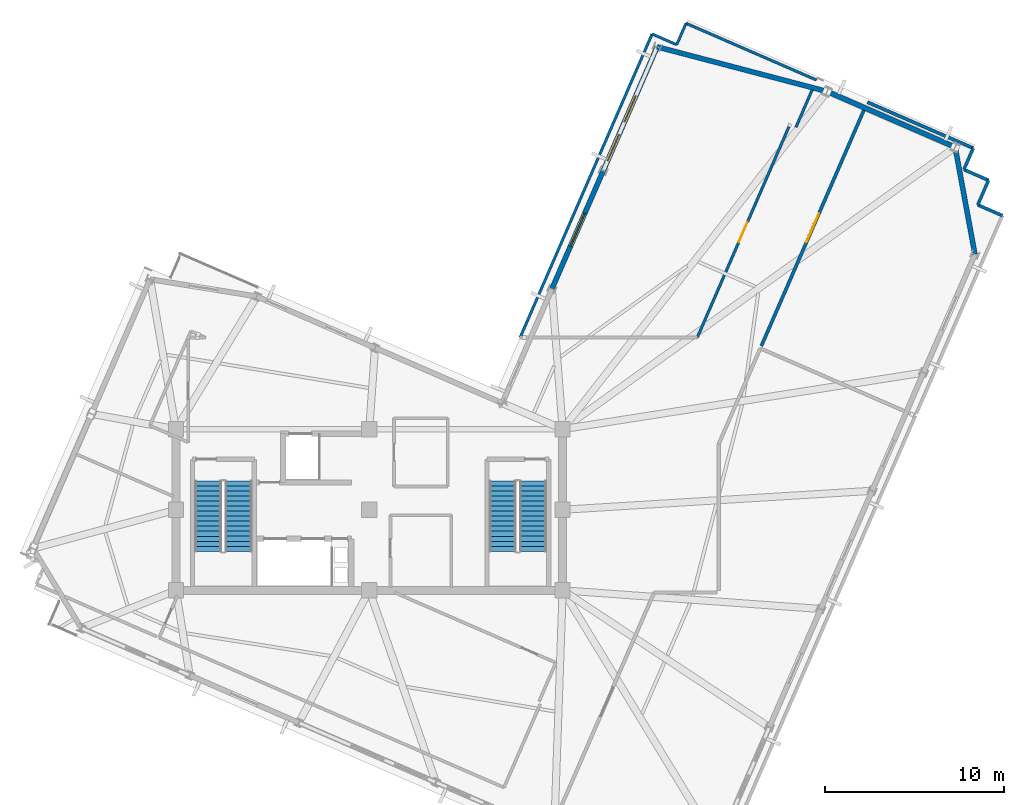
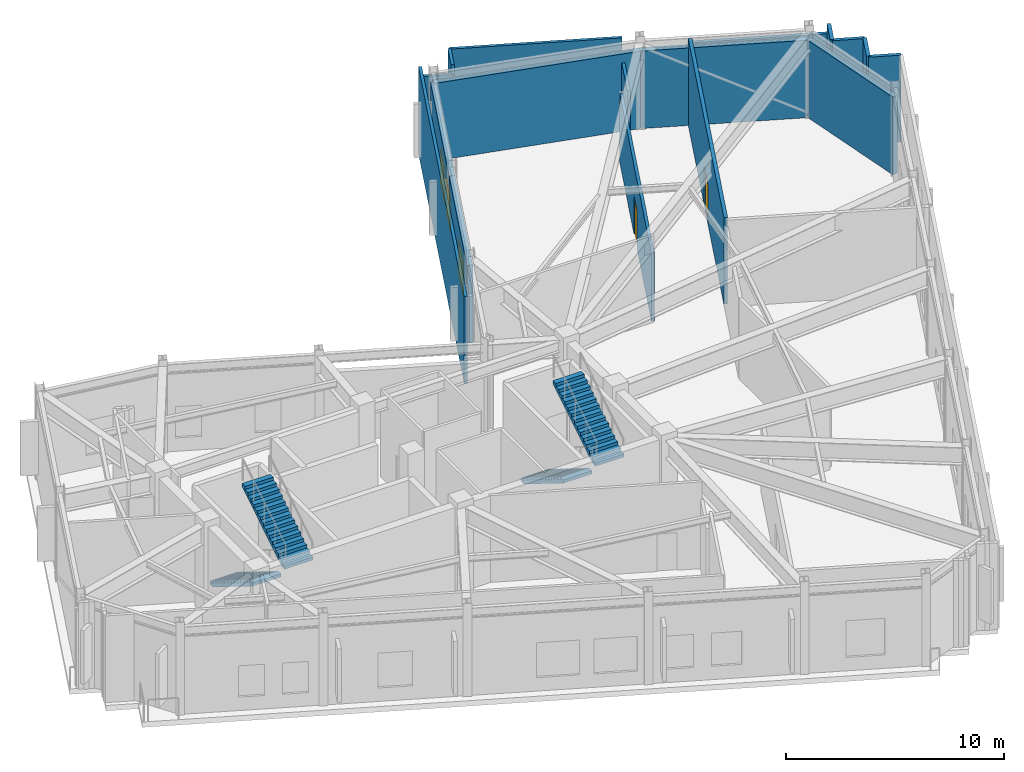
# One storey, part 8 of 12: 17 walls, 4 stair flights, 3 windows, 2 doors, 5 openings, 2 elements without a shape of their own.
"""IFC4 building model written with IfcOpenShell, lengths in metres."""

from ifc_helpers import new_model, si_unit, direction, frame, frame_2d, origin, place, context, subcontext, project, spatial, polyline, rectangle, outline, extrude, material, layer, layer_set, type_object, element, fill, aggregate, save


model = new_model("IFC4")

# Units and contexts
model_context = context("Model", 3, precision=1e-05, world=origin(), true_north=direction((0.0, 1.0)))
body_context = subcontext(model_context, "Body", "Model", "MODEL_VIEW")
ifc_project = project(units=[si_unit("LENGTHUNIT", "METRE"), si_unit("AREAUNIT", "SQUARE_METRE"), si_unit("VOLUMEUNIT", "CUBIC_METRE"), si_unit("PLANEANGLEUNIT", "RADIAN"), si_unit("MASSUNIT", "GRAM", prefix="KILO")], contexts=[model_context])

# Site, building, storey
site_placement = place(None, origin())
site = spatial("IfcSite", under=ifc_project, at=site_placement, CompositionType="ELEMENT")
building_placement = place(site_placement, origin())
building = spatial("IfcBuilding", under=site, at=building_placement, Name="Gaonmaruhae Medical Tower", CompositionType="ELEMENT")
storey_placement = place(building_placement, frame((0.0, 0.0, 342.60009765625)))
storey = spatial("IfcBuildingStorey", under=building, at=storey_placement, Name="L82", CompositionType="ELEMENT", Elevation=342.60009765625)

# Walls
ifc_material_1 = material(Name="Precast concrete C45/55", Category="concrete")
ifc_layer_1 = layer(ifc_material_1, 0.280029296875)
ifc_layer_set_1 = layer_set([ifc_layer_1], Name="Precast concrete C45/55")
wall_type_1 = type_object("IfcWallType", Name="EW-280 Upper Precast Masonry-Frame Facade Wall", PredefinedType="SOLIDWALL", material=ifc_layer_set_1)
wall_1_placement = place(storey_placement, frame((57.52587890625, 32.552490234375, 0.0), z_axis=(0.0, 0.0, 1.0), x_axis=(0.181386981443, -0.983411797246, 0.0)))
element("IfcWall", 1, at=wall_1_placement, inside=storey, type_object=wall_type_1, Name="L82 Precast Masonry-Frame Wall S06-E01", PredefinedType="SOLIDWALL", context=body_context, shape_type="SweptSolid", body=[
    extrude(rectangle(XDim=6.087890625, YDim=0.280029296875, at=frame_2d((3.0439453125, 0.0))), origin(), (0.0, 0.0, 1.0), 4.3349609375),
])
wall_2_placement = place(storey_placement, frame((50.372802734375, 35.662841796875, 0.0), z_axis=(0.0, 0.0, 1.0), x_axis=(0.917055127211, -0.398760446454, 0.0)))
element("IfcWall", 2, at=wall_2_placement, inside=storey, type_object=wall_type_1, Name="L82 Precast Masonry-Frame Wall E01-E02", PredefinedType="SOLIDWALL", context=body_context, shape_type="SweptSolid", body=[
    extrude(rectangle(XDim=7.800048828125, YDim=0.280029296875, at=frame_2d((3.89990234375, 0.0))), origin(), (0.0, 0.0, 1.0), 4.3349609375),
])
wall_3_placement = place(storey_placement, frame((40.879150390625, 38.155029296875, 0.0), z_axis=(0.0, 0.0, 1.0), x_axis=(0.967228369271, -0.253908018143, 0.0)))
element("IfcWall", 3, at=wall_3_placement, inside=storey, type_object=wall_type_1, Name="L82 Precast Masonry-Frame Wall E02-E03", PredefinedType="SOLIDWALL", context=body_context, shape_type="SweptSolid", body=[
    extrude(rectangle(XDim=9.8154296875, YDim=0.280029296875, at=frame_2d((4.90771484375, 0.0))), origin(), (0.0, 0.0, 1.0), 4.3349609375),
])

# Wall, openings, windows
wall_4_placement = place(storey_placement, frame((37.868408203125, 31.231201171875, 0.0), z_axis=(0.0, 0.0, 1.0), x_axis=(0.398768677413, 0.917051548123, 0.0)))
wall_4 = element("IfcWall", 4, at=wall_4_placement, inside=storey, type_object=wall_type_1, Name="L82 Precast Masonry-Frame Wall E03-EN01", PredefinedType="SOLIDWALL", context=body_context, shape_type="SweptSolid", body=[
    extrude(rectangle(XDim=7.550048828125, YDim=0.280029296875, at=frame_2d((3.77490234375, 0.0))), origin(), (0.0, 0.0, 1.0), 4.3349609375),
])
opening_1_placement = place(wall_4_placement, frame((2.97509765625, 0.0, 0.75)))
opening_1 = element("IfcOpeningElement", 5, at=opening_1_placement, cuts=wall_4, Name="Opening WN-01", PredefinedType="OPENING", context=body_context, shape_type="SweptSolid", body=[
    extrude(rectangle(XDim=1.60009765625, YDim=1.949951171875, at=frame_2d((0.800048828125, 0.97509765625))), frame((0.0, 0.14990234375, 0.0), z_axis=(0.0, -1.0, 0.0), x_axis=(1.0, 0.0, 0.0)), (0.0, 0.0, 1.0), 0.300048828125),
])
opening_2_placement = place(wall_4_placement, frame((0.615234375, 0.0, 0.75)))
opening_2 = element("IfcOpeningElement", 6, at=opening_2_placement, cuts=wall_4, Name="Opening WN-01", PredefinedType="OPENING", context=body_context, shape_type="SweptSolid", body=[
    extrude(rectangle(XDim=1.60009765625, YDim=1.949951171875, at=frame_2d((0.800048828125, 0.97509765625))), frame((0.0, 0.14990234375, 0.0), z_axis=(0.0, -1.0, 0.0), x_axis=(1.0, 0.0, 0.0)), (0.0, 0.0, 1.0), 0.300048828125),
])
ifc_material_2 = material(Name="Anodised aluminium and Low-E double glazing", Category="aluminium")
window_type_1 = type_object("IfcWindowType", Name="WN-01 Ward Punched Acoustic Window 1600x1950", PartitioningType="SINGLE_PANEL", PredefinedType="WINDOW", material=ifc_material_2)
window_1_placement = place(opening_1_placement, origin())
window_1 = element("IfcWindow", 7, at=window_1_placement, inside=storey, type_object=window_type_1, Name="L82 Modular Facade Window E03", OverallHeight=1.949951171875, OverallWidth=1.60009765625, PartitioningType="SINGLE_PANEL", PredefinedType="WINDOW", context=body_context, shape_type="SweptSolid", body=[
    extrude(rectangle(XDim=1.60009765625, YDim=1.949951171875, at=frame_2d((0.800048828125, 0.97509765625))), frame((0.0, 0.030029296875, 0.0), z_axis=(0.0, -1.0, 0.0), x_axis=(1.0, 0.0, 0.0)), (0.0, 0.0, 1.0), 0.06005859375),
])
fill(opening_1, window_1)
window_2_placement = place(opening_2_placement, origin())
window_2 = element("IfcWindow", 8, at=window_2_placement, inside=storey, type_object=window_type_1, Name="L82 Modular Facade Window E03B", OverallHeight=1.949951171875, OverallWidth=1.60009765625, PartitioningType="SINGLE_PANEL", PredefinedType="WINDOW", context=body_context, shape_type="SweptSolid", body=[
    extrude(rectangle(XDim=1.60009765625, YDim=1.949951171875, at=frame_2d((0.800048828125, 0.97509765625))), frame((0.0, 0.030029296875, 0.0), z_axis=(0.0, -1.0, 0.0), x_axis=(1.0, 0.0, 0.0)), (0.0, 0.0, 1.0), 0.06005859375),
])
fill(opening_2, window_2)

# Wall, opening, window
wall_5_placement = place(storey_placement, frame((34.99755859375, 24.62841796875, 0.0), z_axis=(0.0, 0.0, 1.0), x_axis=(0.398734790782, 0.917066282566, 0.0)))
wall_5 = element("IfcWall", 9, at=wall_5_placement, inside=storey, type_object=wall_type_1, Name="L82 Precast Masonry-Frame Wall EN01-EN02", PredefinedType="SOLIDWALL", context=body_context, shape_type="SweptSolid", body=[
    extrude(rectangle(XDim=7.199951171875, YDim=0.280029296875, at=frame_2d((3.60009765625, 0.0))), origin(), (0.0, 0.0, 1.0), 4.3349609375),
])
opening_3_placement = place(wall_5_placement, frame((2.60009765625, 0.0, 0.75)))
opening_3 = element("IfcOpeningElement", 10, at=opening_3_placement, cuts=wall_5, Name="Opening WN-02", PredefinedType="OPENING", context=body_context, shape_type="SweptSolid", body=[
    extrude(rectangle(XDim=2.0, YDim=1.949951171875, at=frame_2d((1.0, 0.97509765625))), frame((0.0, 0.14990234375, 0.0), z_axis=(0.0, -1.0, 0.0), x_axis=(1.0, 0.0, 0.0)), (0.0, 0.0, 1.0), 0.300048828125),
])
window_type_2 = type_object("IfcWindowType", Name="WN-02 Double-Bed Ward Punched Window 2000x1950", PartitioningType="SINGLE_PANEL", PredefinedType="WINDOW", material=ifc_material_2)
window_3_placement = place(opening_3_placement, origin())
window_3 = element("IfcWindow", 11, at=window_3_placement, inside=storey, type_object=window_type_2, Name="L82 Modular Facade Window EN01", OverallHeight=1.949951171875, OverallWidth=2.0, PartitioningType="SINGLE_PANEL", PredefinedType="WINDOW", context=body_context, shape_type="SweptSolid", body=[
    extrude(rectangle(XDim=2.0, YDim=1.949951171875, at=frame_2d((1.0, 0.97509765625))), frame((0.0, 0.030029296875, 0.0), z_axis=(0.0, -1.0, 0.0), x_axis=(1.0, 0.0, 0.0)), (0.0, 0.0, 1.0), 0.06005859375),
])
fill(opening_3, window_3)

# Wall, opening, door
ifc_material_3 = material(Name="Gypsum board partition", Category="gypsum")
ifc_layer_2 = layer(ifc_material_3, 0.14990234375)
ifc_layer_set_2 = layer_set([ifc_layer_2], Name="Gypsum board partition")
wall_type_2 = type_object("IfcWallType", Name="PW-150 Rated Clinical Corridor Partition", PredefinedType="PARTITIONING", material=ifc_layer_set_2)
wall_6_placement = place(storey_placement, frame((48.242919921875, 33.698974609375, 0.0), z_axis=(0.0, 0.0, 1.0), x_axis=(-0.398758777505, -0.917055852913, 0.0)))
wall_6 = element("IfcWall", 12, at=wall_6_placement, inside=storey, type_object=wall_type_2, Name="L82 Interior Partition L82-WAIT-26", PredefinedType="PARTITIONING", context=body_context, shape_type="SweptSolid", body=[
    extrude(rectangle(XDim=12.844482421875, YDim=0.14990234375, at=frame_2d((6.42236328125, 0.0))), origin(), (0.0, 0.0, 1.0), 3.8349609375),
])
opening_4_placement = place(wall_6_placement, frame((5.822265625, 0.0, 0.0)))
opening_4 = element("IfcOpeningElement", 13, at=opening_4_placement, cuts=wall_6, Name="Opening CD-02", PredefinedType="OPENING", context=body_context, shape_type="SweptSolid", body=[
    extrude(rectangle(XDim=1.199951171875, YDim=2.14990234375, at=frame_2d((0.60009765625, 1.074951171875))), frame((0.0, 0.0849609375, 0.0), z_axis=(0.0, -1.0, 0.0), x_axis=(1.0, 0.0, 0.0)), (0.0, 0.0, 1.0), 0.169921875),
])
ifc_material_4 = material(Name="Antimicrobial laminate timber fire door", Category="wood")
door_type_1 = type_object("IfcDoorType", Name="CD-02 Clinical Treatment & Procedure Door 1200x2150", OperationType="NOTDEFINED", PredefinedType="DOOR", material=ifc_material_4)
door_1_placement = place(opening_4_placement, origin())
door_1 = element("IfcDoor", 14, at=door_1_placement, inside=storey, type_object=door_type_1, Name="L82 Aeromedical Trauma Team Standby Department Door", OperationType="SINGLE_SWING_RIGHT", OverallHeight=2.14990234375, OverallWidth=1.199951171875, PredefinedType="DOOR", context=body_context, shape_type="SweptSolid", body=[
    extrude(rectangle(XDim=1.199951171875, YDim=2.14990234375, at=frame_2d((0.60009765625, 1.074951171875))), frame((0.0, 0.02490234375, 0.0), z_axis=(0.0, -1.0, 0.0), x_axis=(1.0, 0.0, 0.0)), (0.0, 0.0, 1.0), 0.050048828125),
])
fill(opening_4, door_1)

# Walls
wall_7_placement = place(storey_placement, frame((33.219970703125, 21.919921875, 0.0), z_axis=(0.0, 0.0, 1.0), x_axis=(0.39875121383, 0.917059141751, 0.0)))
element("IfcWall", 15, at=wall_7_placement, inside=storey, type_object=wall_type_2, Name="L82 Interior Partition L82-WAIT-29", PredefinedType="PARTITIONING", context=body_context, shape_type="SweptSolid", body=[
    extrude(rectangle(XDim=18.49267578125, YDim=0.14990234375, at=frame_2d((9.246337890625, 0.0))), origin(), (0.0, 0.0, 1.0), 4.849853515625),
])
wall_8_placement = place(storey_placement, frame((40.593994140625, 38.87890625, 0.0), z_axis=(0.0, 0.0, 1.0), x_axis=(0.91715541112, -0.398529737728, 0.0)))
element("IfcWall", 16, at=wall_8_placement, inside=storey, type_object=wall_type_2, Name="L82 Interior Partition L82-WAIT-30", PredefinedType="PARTITIONING", context=body_context, shape_type="SweptSolid", body=[
    extrude(rectangle(XDim=1.500244140625, YDim=0.14990234375, at=frame_2d((0.75, 0.0))), origin(), (0.0, 0.0, 1.0), 4.3349609375),
])
wall_9_placement = place(storey_placement, frame((41.969970703125, 38.281005859375, 0.0), z_axis=(0.0, 0.0, 1.0), x_axis=(0.398629941404, 0.917111863306, 0.0)))
element("IfcWall", 17, at=wall_9_placement, inside=storey, type_object=wall_type_2, Name="L82 Interior Partition L82-WAIT-31", PredefinedType="PARTITIONING", context=body_context, shape_type="SweptSolid", body=[
    extrude(rectangle(XDim=1.299560546875, YDim=0.14990234375, at=frame_2d((0.64990234375, 0.0))), origin(), (0.0, 0.0, 1.0), 4.849853515625),
])
wall_10_placement = place(storey_placement, frame((42.488037109375, 39.472900390625, 0.0), z_axis=(0.0, 0.0, 1.0), x_axis=(0.917073961881, -0.398717128351, 0.0)))
element("IfcWall", 18, at=wall_10_placement, inside=storey, type_object=wall_type_2, Name="L82 Interior Partition L82-WAIT-32", PredefinedType="PARTITIONING", context=body_context, shape_type="SweptSolid", body=[
    extrude(rectangle(XDim=7.9501953125, YDim=0.14990234375, at=frame_2d((3.97509765625, 0.0))), origin(), (0.0, 0.0, 1.0), 4.849853515625),
])
wall_11_placement = place(storey_placement, frame((49.54296875, 35.761962890625, 0.0), z_axis=(0.0, 0.0, 1.0), x_axis=(-0.398765098315, -0.917053104441, 0.0)))
element("IfcWall", 19, at=wall_11_placement, inside=storey, type_object=wall_type_2, Name="L82 Interior Partition L82-WAIT-33", PredefinedType="PARTITIONING", context=body_context, shape_type="SweptSolid", body=[
    extrude(rectangle(XDim=2.289794921875, YDim=0.14990234375, at=frame_2d((1.14501953125, 0.0))), origin(), (0.0, 0.0, 1.0), 3.8349609375),
])
ifc_layer_3 = layer(ifc_material_3, 0.179931640625)
ifc_layer_set_3 = layer_set([ifc_layer_3], Name="Gypsum board partition")
wall_type_3 = type_object("IfcWallType", Name="PW-180 Refuge & Plant Acoustic Fire Partition", PredefinedType="PARTITIONING", material=ifc_layer_set_3)
for number, where, z_axis, x_axis, name in (
    (20, (59.39404296875, 30.7041015625, 0.0), (0.0, 0.0, 1.0), (-0.398904712107, -0.916992383097, 0.0), "L82 Interior Partition L82-FOAM-19"),
    (21, (58.7958984375, 29.3291015625, 0.0), (0.0, 0.0, 1.0), (0.916992383097, -0.398904712107, 0.0), "L82 Interior Partition L82-FOAM-20"),
):
    element("IfcWall", number, at=place(storey_placement, frame(where, z_axis=z_axis, x_axis=x_axis)), inside=storey, type_object=wall_type_3, Name=name, PredefinedType="PARTITIONING", context=body_context, shape_type="SweptSolid", body=[
        extrude(rectangle(XDim=1.49951171875, YDim=0.179931640625, at=frame_2d((0.749755859375, 0.0))), origin(), (0.0, 0.0, 1.0), 4.849853515625),
    ])

# Wall, opening, door
wall_12_placement = place(storey_placement, frame((46.699951171875, 21.447998046875, 0.0), z_axis=(0.0, 0.0, 1.0), x_axis=(0.398723008689, 0.917071405258, 0.0)))
wall_12 = element("IfcWall", 22, at=wall_12_placement, inside=storey, type_object=wall_type_3, Name="L82 Interior Partition L82-FOAM-22", PredefinedType="PARTITIONING", context=body_context, shape_type="SweptSolid", body=[
    extrude(rectangle(XDim=14.38623046875, YDim=0.179931640625, at=frame_2d((7.193115234375, 0.0))), origin(), (0.0, 0.0, 1.0), 4.849853515625),
])
opening_5_placement = place(wall_12_placement, frame((6.318115234375, 0.0, 0.0)))
opening_5 = element("IfcOpeningElement", 23, at=opening_5_placement, cuts=wall_12, Name="Opening PD-01", PredefinedType="OPENING", context=body_context, shape_type="SweptSolid", body=[
    extrude(rectangle(XDim=1.75, YDim=2.199951171875, at=frame_2d((0.875, 1.10009765625))), frame((0.0, 0.10009765625, 0.0), z_axis=(0.0, -1.0, 0.0), x_axis=(1.0, 0.0, 0.0)), (0.0, 0.0, 1.0), 0.199951171875),
])
ifc_material_5 = material(Name="Acoustic galvanised steel plant door", Category="steel")
door_type_2 = type_object("IfcDoorType", Name="PD-01 Mechanical Plant Double Equipment Door 1750x2200", OperationType="NOTDEFINED", PredefinedType="DOOR", material=ifc_material_5)
door_2_placement = place(opening_5_placement, origin())
door_2 = element("IfcDoor", 24, at=door_2_placement, inside=storey, type_object=door_type_2, Name="L82 Helipad Foam Fire Suppression Pump Room Door", OperationType="DOUBLE_DOOR_SINGLE_SWING", OverallHeight=2.199951171875, OverallWidth=1.75, PredefinedType="DOOR", context=body_context, shape_type="SweptSolid", body=[
    extrude(rectangle(XDim=1.75, YDim=2.199951171875, at=frame_2d((0.875, 1.10009765625))), frame((0.0, 0.02490234375, 0.0), z_axis=(0.0, -1.0, 0.0), x_axis=(1.0, 0.0, 0.0)), (0.0, 0.0, 1.0), 0.050048828125),
])
fill(opening_5, door_2)

# Walls
wall_13_placement = place(storey_placement, frame((52.62109375, 35.06689453125, 0.0), z_axis=(0.0, 0.0, 1.0), x_axis=(0.917092918999, -0.398673522975, 0.0)))
element("IfcWall", 25, at=wall_13_placement, inside=storey, type_object=wall_type_3, Name="L82 Interior Partition L82-FOAM-23", PredefinedType="PARTITIONING", context=body_context, shape_type="SweptSolid", body=[
    extrude(rectangle(XDim=6.450927734375, YDim=0.179931640625, at=frame_2d((3.2255859375, 0.0))), origin(), (0.0, 0.0, 1.0), 4.3349609375),
])
wall_14_placement = place(storey_placement, frame((58.537109375, 32.4951171875, 0.0), z_axis=(0.0, 0.0, 1.0), x_axis=(-0.3991929402, -0.916866945906, 0.0)))
element("IfcWall", 26, at=wall_14_placement, inside=storey, type_object=wall_type_3, Name="L82 Interior Partition L82-FOAM-24", PredefinedType="PARTITIONING", context=body_context, shape_type="SweptSolid", body=[
    extrude(rectangle(XDim=1.30029296875, YDim=0.179931640625, at=frame_2d((0.650146484375, 0.0))), origin(), (0.0, 0.0, 1.0), 4.849853515625),
])
wall_15_placement = place(storey_placement, frame((58.01806640625, 31.302978515625, 0.0), z_axis=(0.0, 0.0, 1.0), x_axis=(0.91691738696, -0.399077067107, 0.0)))
element("IfcWall", 27, at=wall_15_placement, inside=storey, type_object=wall_type_3, Name="L82 Interior Partition L82-FOAM-25", PredefinedType="PARTITIONING", context=body_context, shape_type="SweptSolid", body=[
    extrude(rectangle(XDim=1.500732421875, YDim=0.179931640625, at=frame_2d((0.75048828125, 0.0))), origin(), (0.0, 0.0, 1.0), 4.849853515625),
])

# Stair, stair flights
ifc_material_6 = material(Name="Concrete C40/50", Category="concrete")
stair_type = type_object("IfcStairType", Name="ST-T1 Primary Core Escape Dogleg Stair", PredefinedType="TWO_QUARTER_TURN_STAIR", material=ifc_material_6)
stair_1_placement = place(storey_placement, origin())
stair_1 = element("IfcStair", 28, at=stair_1_placement, inside=storey, type_object=stair_type, Name="L82 Protected Escape Stair ST-01", PredefinedType="TWO_QUARTER_TURN_STAIR")
stair_flight_type = type_object("IfcStairFlightType", Name="SF-T1 Primary Core Precast Stair Flight", PredefinedType="STRAIGHT", material=ifc_material_6)
stair_flight_1_placement = place(storey_placement, frame((15.800048828125, 13.89990234375, 0.0), z_axis=(0.0, 0.0, 1.0), x_axis=(0.0, -1.0, 0.0)))
stair_flight_1 = element("IfcStairFlight", 29, at=stair_flight_1_placement, type_object=stair_flight_type, Name="ST-01 flight 1", NumberOfRisers=15, NumberOfTreads=14, PredefinedType="STRAIGHT", RiserHeight=0.173333333, TreadLength=0.28, context=body_context, shape_type="SweptSolid", body=[
    extrude(outline(polyline([(0.0, 0.0), (0.0, 0.17333984375), (0.280029296875, 0.17333984375), (0.280029296875, 0.3466796875), (0.56005859375, 0.3466796875), (0.56005859375, 0.52001953125), (0.840087890625, 0.52001953125), (0.840087890625, 0.693359375), (1.1201171875, 0.693359375), (1.1201171875, 0.86669921875), (1.39990234375, 0.86669921875), (1.39990234375, 1.0400390625), (1.679931640625, 1.0400390625), (1.679931640625, 1.21337890625), (1.9599609375, 1.21337890625), (1.9599609375, 1.38671875), (2.239990234375, 1.38671875), (2.239990234375, 1.56005859375), (2.52001953125, 1.56005859375), (2.52001953125, 1.7333984375), (2.800048828125, 1.7333984375), (2.800048828125, 1.90673828125), (3.080078125, 1.90673828125), (3.080078125, 2.080078125), (3.360107421875, 2.080078125), (3.360107421875, 2.25341796875), (3.639892578125, 2.25341796875), (3.639892578125, 2.4267578125), (3.919921875, 2.4267578125), (3.919921875, 2.60009765625), (3.919921875, 2.250244140625), (0.284912109375, 0.0), (0.0, 0.0)])), frame((0.0, 0.75, 0.0), z_axis=(0.0, -1.0, 0.0), x_axis=(1.0, 0.0, 0.0)), (0.0, 0.0, 1.0), 1.5),
])
stair_flight_2_placement = place(storey_placement, frame((17.5, 9.97998046875, 2.599853515625), z_axis=(0.0, 0.0, 1.0), x_axis=(0.0, 1.0, 0.0)))
stair_flight_2 = element("IfcStairFlight", 30, at=stair_flight_2_placement, type_object=stair_flight_type, Name="ST-01 flight 2", NumberOfRisers=15, NumberOfTreads=14, PredefinedType="STRAIGHT", RiserHeight=0.173333333, TreadLength=0.28, context=body_context, shape_type="SweptSolid", body=[
    extrude(outline(polyline([(0.0, 0.0), (0.0, 0.17333984375), (0.280029296875, 0.17333984375), (0.280029296875, 0.3466796875), (0.56005859375, 0.3466796875), (0.56005859375, 0.52001953125), (0.840087890625, 0.52001953125), (0.840087890625, 0.693359375), (1.1201171875, 0.693359375), (1.1201171875, 0.86669921875), (1.39990234375, 0.86669921875), (1.39990234375, 1.0400390625), (1.679931640625, 1.0400390625), (1.679931640625, 1.21337890625), (1.9599609375, 1.21337890625), (1.9599609375, 1.38671875), (2.239990234375, 1.38671875), (2.239990234375, 1.56005859375), (2.52001953125, 1.56005859375), (2.52001953125, 1.7333984375), (2.800048828125, 1.7333984375), (2.800048828125, 1.90673828125), (3.080078125, 1.90673828125), (3.080078125, 2.080078125), (3.360107421875, 2.080078125), (3.360107421875, 2.25341796875), (3.639892578125, 2.25341796875), (3.639892578125, 2.4267578125), (3.919921875, 2.4267578125), (3.919921875, 2.60009765625), (3.919921875, 2.250244140625), (0.284912109375, 0.0), (0.0, 0.0)])), frame((0.0, 0.75, 0.0), z_axis=(0.0, -1.0, 0.0), x_axis=(1.0, 0.0, 0.0)), (0.0, 0.0, 1.0), 1.5),
])
aggregate(stair_1, [stair_flight_1, stair_flight_2])

stair_2_placement = place(storey_placement, origin())
stair_2 = element("IfcStair", 31, at=stair_2_placement, inside=storey, type_object=stair_type, Name="L82 Protected Escape Stair ST-02", PredefinedType="TWO_QUARTER_TURN_STAIR")
stair_flight_3_placement = place(storey_placement, frame((32.25, 13.89990234375, 0.0), z_axis=(0.0, 0.0, 1.0), x_axis=(0.0, -1.0, 0.0)))
stair_flight_3 = element("IfcStairFlight", 32, at=stair_flight_3_placement, type_object=stair_flight_type, Name="ST-02 flight 1", NumberOfRisers=15, NumberOfTreads=14, PredefinedType="STRAIGHT", RiserHeight=0.173333333, TreadLength=0.28, context=body_context, shape_type="SweptSolid", body=[
    extrude(outline(polyline([(0.0, 0.0), (0.0, 0.17333984375), (0.280029296875, 0.17333984375), (0.280029296875, 0.3466796875), (0.56005859375, 0.3466796875), (0.56005859375, 0.52001953125), (0.840087890625, 0.52001953125), (0.840087890625, 0.693359375), (1.1201171875, 0.693359375), (1.1201171875, 0.86669921875), (1.39990234375, 0.86669921875), (1.39990234375, 1.0400390625), (1.679931640625, 1.0400390625), (1.679931640625, 1.21337890625), (1.9599609375, 1.21337890625), (1.9599609375, 1.38671875), (2.239990234375, 1.38671875), (2.239990234375, 1.56005859375), (2.52001953125, 1.56005859375), (2.52001953125, 1.7333984375), (2.800048828125, 1.7333984375), (2.800048828125, 1.90673828125), (3.080078125, 1.90673828125), (3.080078125, 2.080078125), (3.360107421875, 2.080078125), (3.360107421875, 2.25341796875), (3.639892578125, 2.25341796875), (3.639892578125, 2.4267578125), (3.919921875, 2.4267578125), (3.919921875, 2.60009765625), (3.919921875, 2.250244140625), (0.284912109375, 0.0), (0.0, 0.0)])), frame((0.0, 0.75, 0.0), z_axis=(0.0, -1.0, 0.0), x_axis=(1.0, 0.0, 0.0)), (0.0, 0.0, 1.0), 1.5),
])
stair_flight_4_placement = place(storey_placement, frame((33.949951171875, 9.97998046875, 2.599853515625), z_axis=(0.0, 0.0, 1.0), x_axis=(0.0, 1.0, 0.0)))
stair_flight_4 = element("IfcStairFlight", 33, at=stair_flight_4_placement, type_object=stair_flight_type, Name="ST-02 flight 2", NumberOfRisers=15, NumberOfTreads=14, PredefinedType="STRAIGHT", RiserHeight=0.173333333, TreadLength=0.28, context=body_context, shape_type="SweptSolid", body=[
    extrude(outline(polyline([(0.0, 0.0), (0.0, 0.17333984375), (0.280029296875, 0.17333984375), (0.280029296875, 0.3466796875), (0.56005859375, 0.3466796875), (0.56005859375, 0.52001953125), (0.840087890625, 0.52001953125), (0.840087890625, 0.693359375), (1.1201171875, 0.693359375), (1.1201171875, 0.86669921875), (1.39990234375, 0.86669921875), (1.39990234375, 1.0400390625), (1.679931640625, 1.0400390625), (1.679931640625, 1.21337890625), (1.9599609375, 1.21337890625), (1.9599609375, 1.38671875), (2.239990234375, 1.38671875), (2.239990234375, 1.56005859375), (2.52001953125, 1.56005859375), (2.52001953125, 1.7333984375), (2.800048828125, 1.7333984375), (2.800048828125, 1.90673828125), (3.080078125, 1.90673828125), (3.080078125, 2.080078125), (3.360107421875, 2.080078125), (3.360107421875, 2.25341796875), (3.639892578125, 2.25341796875), (3.639892578125, 2.4267578125), (3.919921875, 2.4267578125), (3.919921875, 2.60009765625), (3.919921875, 2.250244140625), (0.284912109375, 0.0), (0.0, 0.0)])), frame((0.0, 0.75, 0.0), z_axis=(0.0, -1.0, 0.0), x_axis=(1.0, 0.0, 0.0)), (0.0, 0.0, 1.0), 1.5),
])
aggregate(stair_2, [stair_flight_3, stair_flight_4])

save(model, "model.ifc")
